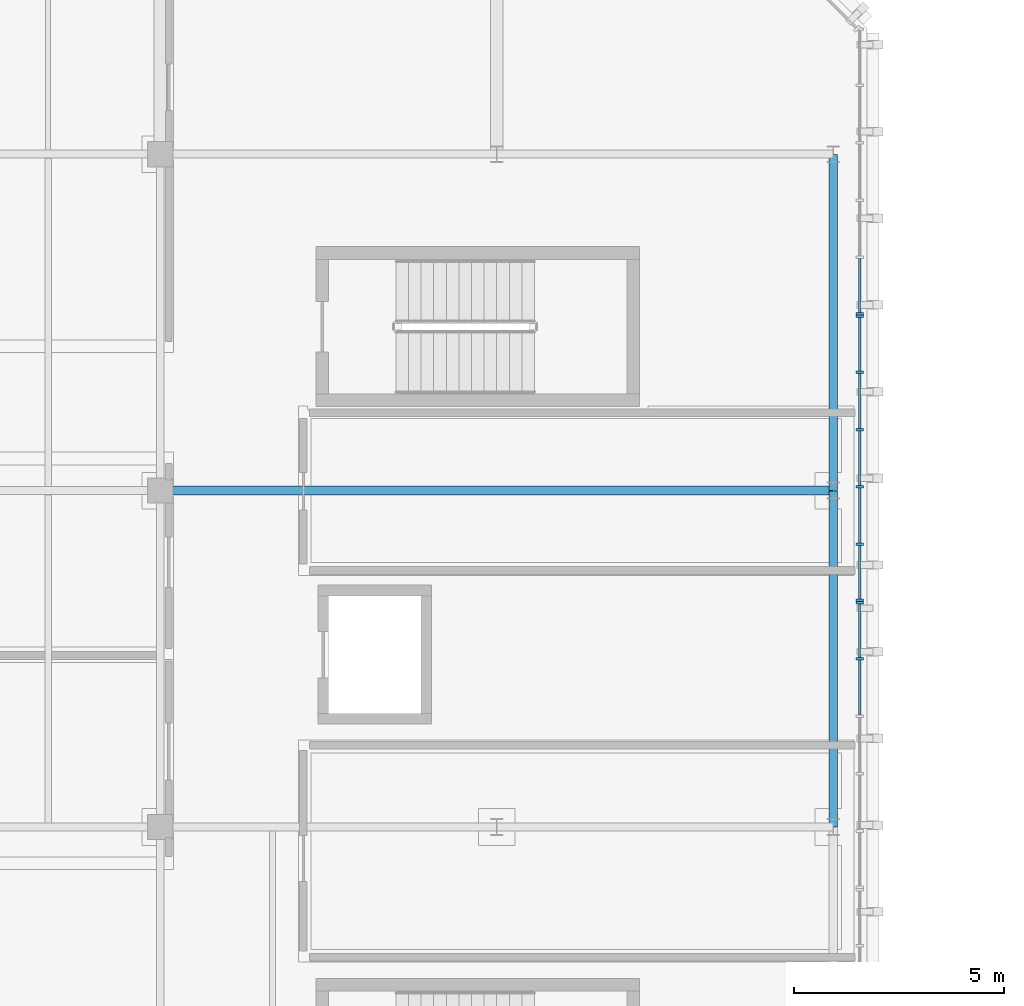
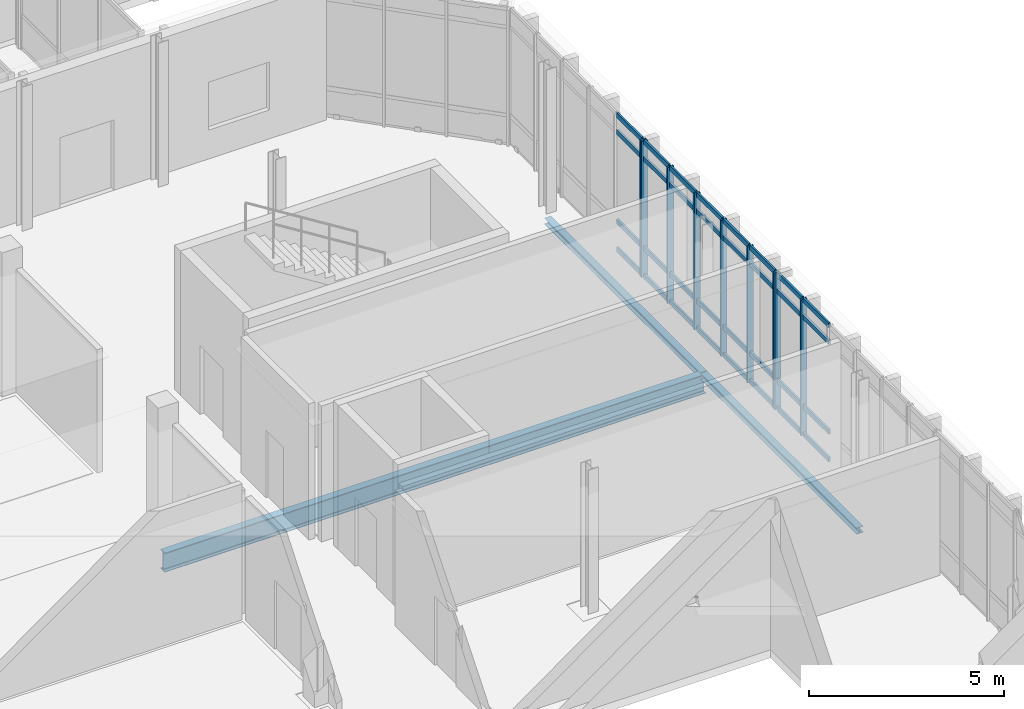
# One storey, part 26 of 100: 41 members, 3 beams, 3 elements without a shape of their own.
"""IFC4 building model written with IfcOpenShell, lengths in metres."""

import ifcopenshell
import ifcopenshell.guid

model = None  # the IFC model being written
_history = None  # IfcOwnerHistory: only IFC2X3 demands one
_inside = {}  # id of a spatial element -> (the spatial element, [elements in it])
_under = {}  # id of a project, library or spatial element -> (it, [spatial elements below it])
_declared = {}  # id of a project -> (the project, [libraries it declares])
_typed = {}  # id of a type object -> (the type object, [elements of that type])
_made_of = {}  # id of a material, layer set ... -> (it, [elements and type objects made of it])


def new_model(schema):
    """Start an empty IFC model of exactly this schema.

    Asked for "IFC4X3", IfcOpenShell would pick the latest addendum, in which some entities
    have other attributes; the version numbers below select the first issue.
    IFC2X3 requires an IfcOwnerHistory on every rooted entity: one is made here for all.
    """
    global model, _history
    if schema == "IFC4X3":
        model = ifcopenshell.file(schema_version=(4, 3, 0, 0))
    else:
        model = ifcopenshell.file(schema=schema)
    _inside.clear()
    _under.clear()
    _declared.clear()
    _typed.clear()
    _made_of.clear()
    _history = None
    if model.schema == "IFC2X3":
        org = make("IfcOrganization", Name="unknown")
        user = make(
            "IfcPersonAndOrganization",
            ThePerson=make("IfcPerson", FamilyName="unknown"),
            TheOrganization=org,
        )
        app = make(
            "IfcApplication",
            ApplicationDeveloper=org,
            Version="unknown",
            ApplicationFullName="unknown",
            ApplicationIdentifier="unknown",
        )
        _history = make(
            "IfcOwnerHistory",
            OwningUser=user,
            OwningApplication=app,
            ChangeAction="ADDED",
            CreationDate=0,
        )
    return model


def make(cls, **values):
    """One entity of the class cls with the attributes given. An attribute that is None is left unset."""
    return model.create_entity(
        cls, **{name: value for name, value in values.items() if value is not None}
    )


def rooted(cls, **values):
    """An entity with a GlobalId (a new one), such as an element, a storey or a relation."""
    return make(cls, GlobalId=ifcopenshell.guid.new(), OwnerHistory=_history, **values)


def si_unit(unit_type, name, prefix=None):
    """IfcSIUnit, for example si_unit("LENGTHUNIT", "METRE", prefix="MILLI")."""
    return make("IfcSIUnit", UnitType=unit_type, Prefix=prefix, Name=name)


def assignment(units):
    """IfcUnitAssignment: the units of a project."""
    return None if units is None else make("IfcUnitAssignment", Units=units)


def point(xyz):
    """IfcCartesianPoint."""
    return None if xyz is None else make("IfcCartesianPoint", Coordinates=xyz)


def direction(xyz):
    """IfcDirection."""
    return None if xyz is None else make("IfcDirection", DirectionRatios=xyz)


def frame(location, z_axis=None, x_axis=None):
    """IfcAxis2Placement3D, a coordinate frame: its origin and axes. An axis left out is left unset."""
    return make(
        "IfcAxis2Placement3D",
        Location=point(location),
        Axis=direction(z_axis),
        RefDirection=direction(x_axis),
    )


def frame_2d(location, x_axis=None):
    """IfcAxis2Placement2D, a coordinate frame in the plane: its origin and x axis."""
    return make(
        "IfcAxis2Placement2D", Location=point(location), RefDirection=direction(x_axis)
    )


def origin():
    """The frame at (0, 0, 0) with its axes left unset."""
    return frame((0.0, 0.0, 0.0))


def origin_2d():
    """The frame at (0, 0) in the plane with its x axis left unset."""
    return frame_2d((0.0, 0.0))


def place(relative_to, where):
    """IfcLocalPlacement: puts the frame where relative to a parent placement (None: the world)."""
    return make(
        "IfcLocalPlacement", PlacementRelTo=relative_to, RelativePlacement=where
    )


def context(
    kind, dimensions, precision=None, world=None, true_north=None, identifier=None
):
    """IfcGeometricRepresentationContext, for example the 3D "Model" context."""
    return make(
        "IfcGeometricRepresentationContext",
        ContextIdentifier=identifier,
        ContextType=kind,
        CoordinateSpaceDimension=dimensions,
        Precision=precision,
        WorldCoordinateSystem=world,
        TrueNorth=true_north,
    )


def subcontext(parent, identifier, kind, view, scale=None):
    """IfcGeometricRepresentationSubContext, for example "Body" below "Model"."""
    return make(
        "IfcGeometricRepresentationSubContext",
        ContextIdentifier=identifier,
        ContextType=kind,
        ParentContext=parent,
        TargetScale=scale,
        TargetView=view,
    )


def project(units=None, contexts=None):
    """IfcProject with its units and contexts."""
    return rooted(
        "IfcProject",
        Name="project",
        RepresentationContexts=contexts,
        UnitsInContext=assignment(units),
    )


def spatial(cls, under=None, at=None, **own):
    """A site, building, storey or space (cls), placed at a placement, below another one or the project."""
    s = rooted(cls, ObjectPlacement=at, **own)
    if under is not None:
        _under.setdefault(under.id(), (under, []))[1].append(s)
    return s


def profile(cls, at=None, kind="AREA", **sizes):
    """A parametric profile (cls). Its sizes go by their IFC names, for example OverallWidth=200.0."""
    return make(cls, ProfileType=kind, Position=at, **sizes)


def rectangle(**sizes):
    """IfcRectangleProfileDef."""
    return profile("IfcRectangleProfileDef", **sizes)


def i_section(**sizes):
    """IfcIShapeProfileDef."""
    return profile("IfcIShapeProfileDef", **sizes)


def extrude(swept, where, along, depth):
    """IfcExtrudedAreaSolid: the profile swept, set in the frame where, extruded along a direction by depth."""
    return make(
        "IfcExtrudedAreaSolid",
        SweptArea=swept,
        Position=where,
        ExtrudedDirection=direction(along),
        Depth=depth,
    )


def shape(context_of_items, identifier, shape_type, items):
    """IfcShapeRepresentation: the items that make up one representation, for example the "Body"."""
    return make(
        "IfcShapeRepresentation",
        ContextOfItems=context_of_items,
        RepresentationIdentifier=identifier,
        RepresentationType=shape_type,
        Items=items,
    )


def material(Name=None, Category=None):
    """IfcMaterial."""
    return make("IfcMaterial", Name=Name, Category=Category)


def material_profile(
    of_material, cross_section, Name=None, Category=None, Priority=None
):
    """IfcMaterialProfile: a cross section and its material."""
    return make(
        "IfcMaterialProfile",
        Name=Name,
        Material=of_material,
        Profile=cross_section,
        Priority=Priority,
        Category=Category,
    )


def profile_set(profiles, Name=None, composite=None):
    """IfcMaterialProfileSet."""
    return make(
        "IfcMaterialProfileSet",
        Name=Name,
        MaterialProfiles=profiles,
        CompositeProfile=composite,
    )


def made_of(thing, what):
    """Note that an element or type object is made of a material, layer set ...; save() writes the relation."""
    if what is not None:
        _made_of.setdefault(what.id(), (what, []))[1].append(thing)
    return thing


def type_object(cls, material=None, **own):
    """A type object (cls), such as IfcWallType, which elements share."""
    return made_of(rooted(cls, **own), material)


def element(
    cls,
    number,
    at=None,
    inside=None,
    cuts=None,
    type_object=None,
    material=None,
    context=None,
    identifier="Body",
    shape_type=None,
    held_by="IfcProductDefinitionShape",
    body=None,
    shapes=None,
    **own,
):
    """One element of the class cls, such as IfcWall. Its Tag is "e" and its number.

    at: its placement. inside: the storey or other place that contains it. cuts: it is an
    opening in that element (IfcRelVoidsElement). A single representation is given by context,
    identifier, shape_type and body (its items); several are given by shapes. held_by: the class
    of the entity that holds the representations. save() writes the other relations.
    """
    e = rooted(cls, Tag="e%d" % number, ObjectPlacement=at, **own)
    if body is not None:
        shapes = [shape(context, identifier, shape_type, body)]
    if shapes is not None:
        e.Representation = make(held_by, Representations=shapes)
    if inside is not None:
        _inside.setdefault(inside.id(), (inside, []))[1].append(e)
    if cuts is not None:
        rooted(
            "IfcRelVoidsElement", RelatingBuildingElement=cuts, RelatedOpeningElement=e
        )
    if type_object is not None:
        _typed.setdefault(type_object.id(), (type_object, []))[1].append(e)
    return made_of(e, material)


def aggregate(whole, parts):
    """IfcRelAggregates: a whole, such as a stair, and the parts it consists of."""
    return rooted("IfcRelAggregates", RelatingObject=whole, RelatedObjects=parts)


def save(model, path):
    """Write the relations noted so far, then the file.

    IfcRelAggregates (storeys below a building ...), IfcRelContainedInSpatialStructure (elements
    in a storey), IfcRelDefinesByType, IfcRelAssociatesMaterial and IfcRelDeclares: one each for
    every whole, place, type object, material and project.
    """
    for whole, parts in _under.values():
        aggregate(whole, parts)
    for where, things in _inside.values():
        rooted(
            "IfcRelContainedInSpatialStructure",
            RelatedElements=things,
            RelatingStructure=where,
        )
    for kind, things in _typed.values():
        rooted("IfcRelDefinesByType", RelatedObjects=things, RelatingType=kind)
    for what, things in _made_of.values():
        rooted("IfcRelAssociatesMaterial", RelatedObjects=things, RelatingMaterial=what)
    for by, libraries in _declared.values():
        rooted("IfcRelDeclares", RelatingContext=by, RelatedDefinitions=libraries)
    model.write(path)


model = new_model("IFC4")

# Units and contexts
model_context = context("Model", 3, precision=1e-05, world=origin(), true_north=direction((0.0, 1.0)))
body_context = subcontext(model_context, "Body", "Model", "MODEL_VIEW")
ifc_project = project(units=[si_unit("LENGTHUNIT", "METRE"), si_unit("AREAUNIT", "SQUARE_METRE"), si_unit("VOLUMEUNIT", "CUBIC_METRE"), si_unit("PLANEANGLEUNIT", "RADIAN"), si_unit("MASSUNIT", "GRAM", prefix="KILO")], contexts=[model_context])

# Site, building, storey
site_placement = place(None, origin())
site = spatial("IfcSite", under=ifc_project, at=site_placement, CompositionType="ELEMENT")
building_placement = place(site_placement, origin())
building = spatial("IfcBuilding", under=site, at=building_placement, Name="Cymarion Research Institute", CompositionType="ELEMENT")
storey_placement = place(building_placement, frame((0.0, 0.0, 9.300048828125)))
storey = spatial("IfcBuildingStorey", under=building, at=storey_placement, Name="L02", CompositionType="ELEMENT", Elevation=9.300048828125)

# Curtain wall, members
ifc_material_1 = material(Name="Anodised aluminium unitised curtain wall with Low-E glazing", Category="aluminium")
curtain_wall_type = type_object("IfcCurtainWallType", Name="UNITISED CURTAIN WALL CW20 6820X4250", PredefinedType="NOTDEFINED", material=ifc_material_1)
curtain_wall_1_placement = place(storey_placement, origin())
curtain_wall_1 = element("IfcCurtainWall", 1, at=curtain_wall_1_placement, inside=storey, type_object=curtain_wall_type, Name="L02 V4 unitised curtain wall CW20 #99", PredefinedType="NOTDEFINED")
ifc_material_2 = material(Name="Anodised aluminium framing", Category="aluminium")
ifc_material_profile_1 = material_profile(ifc_material_2, rectangle(XDim=0.06005859375, YDim=0.179931640625, at=origin_2d()), Name="ALU MULLION 60x180")
ifc_profile_set_1 = profile_set([ifc_material_profile_1], Name="Anodised aluminium framing")
member_type_1 = type_object("IfcMemberType", Name="CURTAIN WALL MULLION ML01 60X180", PredefinedType="MULLION", material=ifc_profile_set_1)
member_1_placement = place(storey_placement, frame((47.22998046875, 59.4970703125, 0.0), z_axis=(0.0, 0.0, 1.0), x_axis=(0.0, 1.0, 0.0)))
member_1 = element("IfcMember", 2, at=member_1_placement, type_object=member_type_1, Name="CW20 mullion 5", PredefinedType="MULLION", context=body_context, shape_type="SweptSolid", body=[
    extrude(rectangle(XDim=0.06005859375, YDim=0.179931640625, at=origin_2d()), origin(), (0.0, 0.0, 1.0), 4.25),
])
member_2_placement = place(storey_placement, frame((47.22998046875, 60.8310546875, 0.0), z_axis=(0.0, 0.0, 1.0), x_axis=(0.0, 1.0, 0.0)))
member_2 = element("IfcMember", 3, at=member_2_placement, type_object=member_type_1, Name="CW20 mullion 6", PredefinedType="MULLION", context=body_context, shape_type="SweptSolid", body=[
    extrude(rectangle(XDim=0.06005859375, YDim=0.179931640625, at=origin_2d()), origin(), (0.0, 0.0, 1.0), 4.25),
])

curtain_wall_2_placement = place(storey_placement, origin())
curtain_wall_2 = element("IfcCurtainWall", 4, at=curtain_wall_2_placement, inside=storey, type_object=curtain_wall_type, Name="L02 V4 unitised curtain wall CW20 #100", PredefinedType="NOTDEFINED")
member_3_placement = place(storey_placement, frame((47.22998046875, 60.89111328125, 0.0), z_axis=(0.0, 0.0, 1.0), x_axis=(0.0, 1.0, 0.0)))
member_3 = element("IfcMember", 5, at=member_3_placement, type_object=member_type_1, Name="CW20 mullion 1", PredefinedType="MULLION", context=body_context, shape_type="SweptSolid", body=[
    extrude(rectangle(XDim=0.06005859375, YDim=0.179931640625, at=origin_2d()), origin(), (0.0, 0.0, 1.0), 4.25),
])
member_4_placement = place(storey_placement, frame((47.22998046875, 62.224853515625, 0.0), z_axis=(0.0, 0.0, 1.0), x_axis=(0.0, 1.0, 0.0)))
member_4 = element("IfcMember", 6, at=member_4_placement, type_object=member_type_1, Name="CW20 mullion 2", PredefinedType="MULLION", context=body_context, shape_type="SweptSolid", body=[
    extrude(rectangle(XDim=0.06005859375, YDim=0.179931640625, at=origin_2d()), origin(), (0.0, 0.0, 1.0), 4.25),
])
member_5_placement = place(storey_placement, frame((47.22998046875, 63.5888671875, 0.0), z_axis=(0.0, 0.0, 1.0), x_axis=(0.0, 1.0, 0.0)))
member_5 = element("IfcMember", 7, at=member_5_placement, type_object=member_type_1, Name="CW20 mullion 3", PredefinedType="MULLION", context=body_context, shape_type="SweptSolid", body=[
    extrude(rectangle(XDim=0.06005859375, YDim=0.179931640625, at=origin_2d()), origin(), (0.0, 0.0, 1.0), 4.25),
])
member_6_placement = place(storey_placement, frame((47.22998046875, 64.95263671875, 0.0), z_axis=(0.0, 0.0, 1.0), x_axis=(0.0, 1.0, 0.0)))
member_6 = element("IfcMember", 8, at=member_6_placement, type_object=member_type_1, Name="CW20 mullion 4", PredefinedType="MULLION", context=body_context, shape_type="SweptSolid", body=[
    extrude(rectangle(XDim=0.06005859375, YDim=0.179931640625, at=origin_2d()), origin(), (0.0, 0.0, 1.0), 4.25),
])
member_7_placement = place(storey_placement, frame((47.22998046875, 66.316650390625, 0.0), z_axis=(0.0, 0.0, 1.0), x_axis=(0.0, 1.0, 0.0)))
member_7 = element("IfcMember", 9, at=member_7_placement, type_object=member_type_1, Name="CW20 mullion 5", PredefinedType="MULLION", context=body_context, shape_type="SweptSolid", body=[
    extrude(rectangle(XDim=0.06005859375, YDim=0.179931640625, at=origin_2d()), origin(), (0.0, 0.0, 1.0), 4.25),
])
member_8_placement = place(storey_placement, frame((47.22998046875, 67.650390625, 0.0), z_axis=(0.0, 0.0, 1.0), x_axis=(0.0, 1.0, 0.0)))
member_8 = element("IfcMember", 10, at=member_8_placement, type_object=member_type_1, Name="CW20 mullion 6", PredefinedType="MULLION", context=body_context, shape_type="SweptSolid", body=[
    extrude(rectangle(XDim=0.06005859375, YDim=0.179931640625, at=origin_2d()), origin(), (0.0, 0.0, 1.0), 4.25),
])

# Curtain wall, member
curtain_wall_3_placement = place(storey_placement, origin())
curtain_wall_3 = element("IfcCurtainWall", 11, at=curtain_wall_3_placement, inside=storey, type_object=curtain_wall_type, Name="L02 V4 unitised curtain wall CW20 #101", PredefinedType="NOTDEFINED")
member_9_placement = place(storey_placement, frame((47.22998046875, 67.71044921875, 0.0), z_axis=(0.0, 0.0, 1.0), x_axis=(0.0, 1.0, 0.0)))
member_9 = element("IfcMember", 12, at=member_9_placement, type_object=member_type_1, Name="CW20 mullion 1", PredefinedType="MULLION", context=body_context, shape_type="SweptSolid", body=[
    extrude(rectangle(XDim=0.06005859375, YDim=0.179931640625, at=origin_2d()), origin(), (0.0, 0.0, 1.0), 4.25),
])

# Member
ifc_material_profile_2 = material_profile(ifc_material_2, rectangle(XDim=0.06005859375, YDim=0.14990234375, at=origin_2d()), Name="ALU TRANSOM 60x150")
ifc_profile_set_2 = profile_set([ifc_material_profile_2], Name="Anodised aluminium framing")
member_type_2 = type_object("IfcMemberType", Name="CURTAIN WALL TRANSOM TR01 60X150", PredefinedType="USERDEFINED", material=ifc_profile_set_2)
member_10_placement = place(storey_placement, frame((47.22998046875, 58.1630859375, 0.030029296875), z_axis=(0.0, 1.0, 0.0), x_axis=(-1.0, 0.0, 0.0)))
member_10 = element("IfcMember", 13, at=member_10_placement, type_object=member_type_2, Name="CW20 transom 4.1", ObjectType="TRANSOM", PredefinedType="USERDEFINED", context=body_context, shape_type="SweptSolid", body=[
    extrude(rectangle(XDim=0.06005859375, YDim=0.14990234375, at=origin_2d()), origin(), (0.0, 0.0, 1.0), 1.303955078125),
])

member_11_placement = place(storey_placement, frame((47.22998046875, 58.1630859375, 0.89990234375), z_axis=(0.0, 1.0, 0.0), x_axis=(-1.0, 0.0, 0.0)))
member_11 = element("IfcMember", 14, at=member_11_placement, type_object=member_type_2, Name="CW20 transom 4.2", ObjectType="TRANSOM", PredefinedType="USERDEFINED", context=body_context, shape_type="SweptSolid", body=[
    extrude(rectangle(XDim=0.06005859375, YDim=0.14990234375, at=origin_2d()), origin(), (0.0, 0.0, 1.0), 1.303955078125),
])

member_12_placement = place(storey_placement, frame((47.22998046875, 58.1630859375, 3.699951171875), z_axis=(0.0, 1.0, 0.0), x_axis=(-1.0, 0.0, 0.0)))
member_12 = element("IfcMember", 15, at=member_12_placement, type_object=member_type_2, Name="CW20 transom 4.3", ObjectType="TRANSOM", PredefinedType="USERDEFINED", context=body_context, shape_type="SweptSolid", body=[
    extrude(rectangle(XDim=0.06005859375, YDim=0.14990234375, at=origin_2d()), origin(), (0.0, 0.0, 1.0), 1.303955078125),
])

member_13_placement = place(storey_placement, frame((47.22998046875, 58.1630859375, 4.219970703125), z_axis=(0.0, 1.0, 0.0), x_axis=(-1.0, 0.0, 0.0)))
member_13 = element("IfcMember", 16, at=member_13_placement, type_object=member_type_2, Name="CW20 transom 4.4", ObjectType="TRANSOM", PredefinedType="USERDEFINED", context=body_context, shape_type="SweptSolid", body=[
    extrude(rectangle(XDim=0.06005859375, YDim=0.14990234375, at=origin_2d()), origin(), (0.0, 0.0, 1.0), 1.303955078125),
])

member_14_placement = place(storey_placement, frame((47.22998046875, 59.527099609375, 0.030029296875), z_axis=(0.0, 1.0, 0.0), x_axis=(-1.0, 0.0, 0.0)))
member_14 = element("IfcMember", 17, at=member_14_placement, type_object=member_type_2, Name="CW20 transom 5.1", ObjectType="TRANSOM", PredefinedType="USERDEFINED", context=body_context, shape_type="SweptSolid", body=[
    extrude(rectangle(XDim=0.06005859375, YDim=0.14990234375, at=origin_2d()), origin(), (0.0, 0.0, 1.0), 1.27392578125),
])

member_15_placement = place(storey_placement, frame((47.22998046875, 59.527099609375, 0.89990234375), z_axis=(0.0, 1.0, 0.0), x_axis=(-1.0, 0.0, 0.0)))
member_15 = element("IfcMember", 18, at=member_15_placement, type_object=member_type_2, Name="CW20 transom 5.2", ObjectType="TRANSOM", PredefinedType="USERDEFINED", context=body_context, shape_type="SweptSolid", body=[
    extrude(rectangle(XDim=0.06005859375, YDim=0.14990234375, at=origin_2d()), origin(), (0.0, 0.0, 1.0), 1.27392578125),
])

member_16_placement = place(storey_placement, frame((47.22998046875, 59.527099609375, 3.699951171875), z_axis=(0.0, 1.0, 0.0), x_axis=(-1.0, 0.0, 0.0)))
member_16 = element("IfcMember", 19, at=member_16_placement, type_object=member_type_2, Name="CW20 transom 5.3", ObjectType="TRANSOM", PredefinedType="USERDEFINED", context=body_context, shape_type="SweptSolid", body=[
    extrude(rectangle(XDim=0.06005859375, YDim=0.14990234375, at=origin_2d()), origin(), (0.0, 0.0, 1.0), 1.27392578125),
])

member_17_placement = place(storey_placement, frame((47.22998046875, 59.527099609375, 4.219970703125), z_axis=(0.0, 1.0, 0.0), x_axis=(-1.0, 0.0, 0.0)))
member_17 = element("IfcMember", 20, at=member_17_placement, type_object=member_type_2, Name="CW20 transom 5.4", ObjectType="TRANSOM", PredefinedType="USERDEFINED", context=body_context, shape_type="SweptSolid", body=[
    extrude(rectangle(XDim=0.06005859375, YDim=0.14990234375, at=origin_2d()), origin(), (0.0, 0.0, 1.0), 1.27392578125),
])

aggregate(curtain_wall_1, [member_1, member_2, member_10, member_11, member_12, member_13, member_14, member_15, member_16, member_17])

member_18_placement = place(storey_placement, frame((47.22998046875, 60.9208984375, 0.030029296875), z_axis=(0.0, 1.0, 0.0), x_axis=(-1.0, 0.0, 0.0)))
member_18 = element("IfcMember", 21, at=member_18_placement, type_object=member_type_2, Name="CW20 transom 1.1", ObjectType="TRANSOM", PredefinedType="USERDEFINED", context=body_context, shape_type="SweptSolid", body=[
    extrude(rectangle(XDim=0.06005859375, YDim=0.14990234375, at=origin_2d()), origin(), (0.0, 0.0, 1.0), 1.27392578125),
])

member_19_placement = place(storey_placement, frame((47.22998046875, 60.9208984375, 0.89990234375), z_axis=(0.0, 1.0, 0.0), x_axis=(-1.0, 0.0, 0.0)))
member_19 = element("IfcMember", 22, at=member_19_placement, type_object=member_type_2, Name="CW20 transom 1.2", ObjectType="TRANSOM", PredefinedType="USERDEFINED", context=body_context, shape_type="SweptSolid", body=[
    extrude(rectangle(XDim=0.06005859375, YDim=0.14990234375, at=origin_2d()), origin(), (0.0, 0.0, 1.0), 1.27392578125),
])

member_20_placement = place(storey_placement, frame((47.22998046875, 60.9208984375, 3.699951171875), z_axis=(0.0, 1.0, 0.0), x_axis=(-1.0, 0.0, 0.0)))
member_20 = element("IfcMember", 23, at=member_20_placement, type_object=member_type_2, Name="CW20 transom 1.3", ObjectType="TRANSOM", PredefinedType="USERDEFINED", context=body_context, shape_type="SweptSolid", body=[
    extrude(rectangle(XDim=0.06005859375, YDim=0.14990234375, at=origin_2d()), origin(), (0.0, 0.0, 1.0), 1.27392578125),
])

member_21_placement = place(storey_placement, frame((47.22998046875, 60.9208984375, 4.219970703125), z_axis=(0.0, 1.0, 0.0), x_axis=(-1.0, 0.0, 0.0)))
member_21 = element("IfcMember", 24, at=member_21_placement, type_object=member_type_2, Name="CW20 transom 1.4", ObjectType="TRANSOM", PredefinedType="USERDEFINED", context=body_context, shape_type="SweptSolid", body=[
    extrude(rectangle(XDim=0.06005859375, YDim=0.14990234375, at=origin_2d()), origin(), (0.0, 0.0, 1.0), 1.27392578125),
])

member_22_placement = place(storey_placement, frame((47.22998046875, 62.2548828125, 0.030029296875), z_axis=(0.0, 1.0, 0.0), x_axis=(-1.0, 0.0, 0.0)))
member_22 = element("IfcMember", 25, at=member_22_placement, type_object=member_type_2, Name="CW20 transom 2.1", ObjectType="TRANSOM", PredefinedType="USERDEFINED", context=body_context, shape_type="SweptSolid", body=[
    extrude(rectangle(XDim=0.06005859375, YDim=0.14990234375, at=origin_2d()), origin(), (0.0, 0.0, 1.0), 1.303955078125),
])

member_23_placement = place(storey_placement, frame((47.22998046875, 62.2548828125, 0.89990234375), z_axis=(0.0, 1.0, 0.0), x_axis=(-1.0, 0.0, 0.0)))
member_23 = element("IfcMember", 26, at=member_23_placement, type_object=member_type_2, Name="CW20 transom 2.2", ObjectType="TRANSOM", PredefinedType="USERDEFINED", context=body_context, shape_type="SweptSolid", body=[
    extrude(rectangle(XDim=0.06005859375, YDim=0.14990234375, at=origin_2d()), origin(), (0.0, 0.0, 1.0), 1.303955078125),
])

member_24_placement = place(storey_placement, frame((47.22998046875, 62.2548828125, 3.699951171875), z_axis=(0.0, 1.0, 0.0), x_axis=(-1.0, 0.0, 0.0)))
member_24 = element("IfcMember", 27, at=member_24_placement, type_object=member_type_2, Name="CW20 transom 2.3", ObjectType="TRANSOM", PredefinedType="USERDEFINED", context=body_context, shape_type="SweptSolid", body=[
    extrude(rectangle(XDim=0.06005859375, YDim=0.14990234375, at=origin_2d()), origin(), (0.0, 0.0, 1.0), 1.303955078125),
])

member_25_placement = place(storey_placement, frame((47.22998046875, 62.2548828125, 4.219970703125), z_axis=(0.0, 1.0, 0.0), x_axis=(-1.0, 0.0, 0.0)))
member_25 = element("IfcMember", 28, at=member_25_placement, type_object=member_type_2, Name="CW20 transom 2.4", ObjectType="TRANSOM", PredefinedType="USERDEFINED", context=body_context, shape_type="SweptSolid", body=[
    extrude(rectangle(XDim=0.06005859375, YDim=0.14990234375, at=origin_2d()), origin(), (0.0, 0.0, 1.0), 1.303955078125),
])

member_26_placement = place(storey_placement, frame((47.22998046875, 63.618896484375, 0.030029296875), z_axis=(0.0, 1.0, 0.0), x_axis=(-1.0, 0.0, 0.0)))
member_26 = element("IfcMember", 29, at=member_26_placement, type_object=member_type_2, Name="CW20 transom 3.1", ObjectType="TRANSOM", PredefinedType="USERDEFINED", context=body_context, shape_type="SweptSolid", body=[
    extrude(rectangle(XDim=0.06005859375, YDim=0.14990234375, at=origin_2d()), origin(), (0.0, 0.0, 1.0), 1.3037109375),
])

member_27_placement = place(storey_placement, frame((47.22998046875, 63.618896484375, 0.89990234375), z_axis=(0.0, 1.0, 0.0), x_axis=(-1.0, 0.0, 0.0)))
member_27 = element("IfcMember", 30, at=member_27_placement, type_object=member_type_2, Name="CW20 transom 3.2", ObjectType="TRANSOM", PredefinedType="USERDEFINED", context=body_context, shape_type="SweptSolid", body=[
    extrude(rectangle(XDim=0.06005859375, YDim=0.14990234375, at=origin_2d()), origin(), (0.0, 0.0, 1.0), 1.3037109375),
])

member_28_placement = place(storey_placement, frame((47.22998046875, 63.618896484375, 3.699951171875), z_axis=(0.0, 1.0, 0.0), x_axis=(-1.0, 0.0, 0.0)))
member_28 = element("IfcMember", 31, at=member_28_placement, type_object=member_type_2, Name="CW20 transom 3.3", ObjectType="TRANSOM", PredefinedType="USERDEFINED", context=body_context, shape_type="SweptSolid", body=[
    extrude(rectangle(XDim=0.06005859375, YDim=0.14990234375, at=origin_2d()), origin(), (0.0, 0.0, 1.0), 1.3037109375),
])

member_29_placement = place(storey_placement, frame((47.22998046875, 63.618896484375, 4.219970703125), z_axis=(0.0, 1.0, 0.0), x_axis=(-1.0, 0.0, 0.0)))
member_29 = element("IfcMember", 32, at=member_29_placement, type_object=member_type_2, Name="CW20 transom 3.4", ObjectType="TRANSOM", PredefinedType="USERDEFINED", context=body_context, shape_type="SweptSolid", body=[
    extrude(rectangle(XDim=0.06005859375, YDim=0.14990234375, at=origin_2d()), origin(), (0.0, 0.0, 1.0), 1.3037109375),
])

member_30_placement = place(storey_placement, frame((47.22998046875, 64.982666015625, 0.030029296875), z_axis=(0.0, 1.0, 0.0), x_axis=(-1.0, 0.0, 0.0)))
member_30 = element("IfcMember", 33, at=member_30_placement, type_object=member_type_2, Name="CW20 transom 4.1", ObjectType="TRANSOM", PredefinedType="USERDEFINED", context=body_context, shape_type="SweptSolid", body=[
    extrude(rectangle(XDim=0.06005859375, YDim=0.14990234375, at=origin_2d()), origin(), (0.0, 0.0, 1.0), 1.303955078125),
])

member_31_placement = place(storey_placement, frame((47.22998046875, 64.982666015625, 0.89990234375), z_axis=(0.0, 1.0, 0.0), x_axis=(-1.0, 0.0, 0.0)))
member_31 = element("IfcMember", 34, at=member_31_placement, type_object=member_type_2, Name="CW20 transom 4.2", ObjectType="TRANSOM", PredefinedType="USERDEFINED", context=body_context, shape_type="SweptSolid", body=[
    extrude(rectangle(XDim=0.06005859375, YDim=0.14990234375, at=origin_2d()), origin(), (0.0, 0.0, 1.0), 1.303955078125),
])

member_32_placement = place(storey_placement, frame((47.22998046875, 64.982666015625, 3.699951171875), z_axis=(0.0, 1.0, 0.0), x_axis=(-1.0, 0.0, 0.0)))
member_32 = element("IfcMember", 35, at=member_32_placement, type_object=member_type_2, Name="CW20 transom 4.3", ObjectType="TRANSOM", PredefinedType="USERDEFINED", context=body_context, shape_type="SweptSolid", body=[
    extrude(rectangle(XDim=0.06005859375, YDim=0.14990234375, at=origin_2d()), origin(), (0.0, 0.0, 1.0), 1.303955078125),
])

member_33_placement = place(storey_placement, frame((47.22998046875, 64.982666015625, 4.219970703125), z_axis=(0.0, 1.0, 0.0), x_axis=(-1.0, 0.0, 0.0)))
member_33 = element("IfcMember", 36, at=member_33_placement, type_object=member_type_2, Name="CW20 transom 4.4", ObjectType="TRANSOM", PredefinedType="USERDEFINED", context=body_context, shape_type="SweptSolid", body=[
    extrude(rectangle(XDim=0.06005859375, YDim=0.14990234375, at=origin_2d()), origin(), (0.0, 0.0, 1.0), 1.303955078125),
])

member_34_placement = place(storey_placement, frame((47.22998046875, 66.3466796875, 0.030029296875), z_axis=(0.0, 1.0, 0.0), x_axis=(-1.0, 0.0, 0.0)))
member_34 = element("IfcMember", 37, at=member_34_placement, type_object=member_type_2, Name="CW20 transom 5.1", ObjectType="TRANSOM", PredefinedType="USERDEFINED", context=body_context, shape_type="SweptSolid", body=[
    extrude(rectangle(XDim=0.06005859375, YDim=0.14990234375, at=origin_2d()), origin(), (0.0, 0.0, 1.0), 1.27392578125),
])

member_35_placement = place(storey_placement, frame((47.22998046875, 66.3466796875, 0.89990234375), z_axis=(0.0, 1.0, 0.0), x_axis=(-1.0, 0.0, 0.0)))
member_35 = element("IfcMember", 38, at=member_35_placement, type_object=member_type_2, Name="CW20 transom 5.2", ObjectType="TRANSOM", PredefinedType="USERDEFINED", context=body_context, shape_type="SweptSolid", body=[
    extrude(rectangle(XDim=0.06005859375, YDim=0.14990234375, at=origin_2d()), origin(), (0.0, 0.0, 1.0), 1.27392578125),
])

member_36_placement = place(storey_placement, frame((47.22998046875, 66.3466796875, 3.699951171875), z_axis=(0.0, 1.0, 0.0), x_axis=(-1.0, 0.0, 0.0)))
member_36 = element("IfcMember", 39, at=member_36_placement, type_object=member_type_2, Name="CW20 transom 5.3", ObjectType="TRANSOM", PredefinedType="USERDEFINED", context=body_context, shape_type="SweptSolid", body=[
    extrude(rectangle(XDim=0.06005859375, YDim=0.14990234375, at=origin_2d()), origin(), (0.0, 0.0, 1.0), 1.27392578125),
])

member_37_placement = place(storey_placement, frame((47.22998046875, 66.3466796875, 4.219970703125), z_axis=(0.0, 1.0, 0.0), x_axis=(-1.0, 0.0, 0.0)))
member_37 = element("IfcMember", 40, at=member_37_placement, type_object=member_type_2, Name="CW20 transom 5.4", ObjectType="TRANSOM", PredefinedType="USERDEFINED", context=body_context, shape_type="SweptSolid", body=[
    extrude(rectangle(XDim=0.06005859375, YDim=0.14990234375, at=origin_2d()), origin(), (0.0, 0.0, 1.0), 1.27392578125),
])

aggregate(curtain_wall_2, [member_3, member_4, member_5, member_6, member_7, member_8, member_18, member_19, member_20, member_21, member_22, member_23, member_24, member_25, member_26, member_27, member_28, member_29, member_30, member_31, member_32, member_33, member_34, member_35, member_36, member_37])

member_38_placement = place(storey_placement, frame((47.22998046875, 67.740478515625, 0.030029296875), z_axis=(0.0, 1.0, 0.0), x_axis=(-1.0, 0.0, 0.0)))
member_38 = element("IfcMember", 41, at=member_38_placement, type_object=member_type_2, Name="CW20 transom 1.1", ObjectType="TRANSOM", PredefinedType="USERDEFINED", context=body_context, shape_type="SweptSolid", body=[
    extrude(rectangle(XDim=0.06005859375, YDim=0.14990234375, at=origin_2d()), origin(), (0.0, 0.0, 1.0), 1.27392578125),
])

member_39_placement = place(storey_placement, frame((47.22998046875, 67.740478515625, 0.89990234375), z_axis=(0.0, 1.0, 0.0), x_axis=(-1.0, 0.0, 0.0)))
member_39 = element("IfcMember", 42, at=member_39_placement, type_object=member_type_2, Name="CW20 transom 1.2", ObjectType="TRANSOM", PredefinedType="USERDEFINED", context=body_context, shape_type="SweptSolid", body=[
    extrude(rectangle(XDim=0.06005859375, YDim=0.14990234375, at=origin_2d()), origin(), (0.0, 0.0, 1.0), 1.27392578125),
])

member_40_placement = place(storey_placement, frame((47.22998046875, 67.740478515625, 3.699951171875), z_axis=(0.0, 1.0, 0.0), x_axis=(-1.0, 0.0, 0.0)))
member_40 = element("IfcMember", 43, at=member_40_placement, type_object=member_type_2, Name="CW20 transom 1.3", ObjectType="TRANSOM", PredefinedType="USERDEFINED", context=body_context, shape_type="SweptSolid", body=[
    extrude(rectangle(XDim=0.06005859375, YDim=0.14990234375, at=origin_2d()), origin(), (0.0, 0.0, 1.0), 1.27392578125),
])

member_41_placement = place(storey_placement, frame((47.22998046875, 67.740478515625, 4.219970703125), z_axis=(0.0, 1.0, 0.0), x_axis=(-1.0, 0.0, 0.0)))
member_41 = element("IfcMember", 44, at=member_41_placement, type_object=member_type_2, Name="CW20 transom 1.4", ObjectType="TRANSOM", PredefinedType="USERDEFINED", context=body_context, shape_type="SweptSolid", body=[
    extrude(rectangle(XDim=0.06005859375, YDim=0.14990234375, at=origin_2d()), origin(), (0.0, 0.0, 1.0), 1.27392578125),
])

aggregate(curtain_wall_3, [member_9, member_38, member_39, member_40, member_41])

# Beams
ifc_material_3 = material(Name="Steel S355", Category="steel")
ifc_material_profile_3 = material_profile(ifc_material_3, i_section(OverallWidth=0.219970703125, OverallDepth=0.60009765625, WebThickness=0.011962890625, FlangeThickness=0.01904296875, FilletRadius=0.02392578125, at=origin_2d()), Name="IPE 600")
ifc_profile_set_3 = profile_set([ifc_material_profile_3], Name="Steel S355")
beam_type_1 = type_object("IfcBeamType", Name="PRIMARY GIRDER BM01 IPE 600", PredefinedType="BEAM", material=ifc_profile_set_3)
beam_placement = place(storey_placement, frame((30.60595703125, 63.5, -0.550048828125), z_axis=(1.0, 0.0, 0.0), x_axis=(0.0, 1.0, 0.0)))
element("IfcBeam", 45, at=beam_placement, inside=storey, type_object=beam_type_1, Name="L02 V4 girder BM01 #1042", PredefinedType="BEAM", context=body_context, shape_type="SweptSolid", body=[
    extrude(i_section(OverallWidth=0.219970703125, OverallDepth=0.60009765625, WebThickness=0.011962890625, FlangeThickness=0.01904296875, FilletRadius=0.02392578125, at=origin_2d()), origin(), (0.0, 0.0, 1.0), 15.988037109375),
])
ifc_material_profile_4 = material_profile(ifc_material_3, i_section(OverallWidth=0.199951171875, OverallDepth=0.18994140625, WebThickness=0.006591796875, FlangeThickness=0.010009765625, FilletRadius=0.01806640625, at=origin_2d()), Name="HEA 200")
ifc_profile_set_4 = profile_set([ifc_material_profile_4], Name="Steel S355")
beam_type_2 = type_object("IfcBeamType", Name="SPANDREL BEAM SPB04 HEA 200", PredefinedType="SPANDREL", material=ifc_profile_set_4)
for number, where, z_axis, x_axis, name in (
    (46, (46.60009765625, 55.506103515625, -0.344970703125), (0.0, 1.0, 0.0), (-1.0, 0.0, 0.0), "L02 V4 girder SPB04 #1074"),
    (47, (46.60009765625, 63.506103515625, -0.344970703125), (0.0, 1.0, 0.0), (-1.0, 0.0, 0.0), "L02 V4 girder SPB04 #1075"),
):
    element("IfcBeam", number, at=place(storey_placement, frame(where, z_axis=z_axis, x_axis=x_axis)), inside=storey, type_object=beam_type_2, Name=name, PredefinedType="SPANDREL", context=body_context, shape_type="SweptSolid", body=[
        extrude(i_section(OverallWidth=0.199951171875, OverallDepth=0.18994140625, WebThickness=0.006591796875, FlangeThickness=0.010009765625, FilletRadius=0.01806640625, at=origin_2d()), origin(), (0.0, 0.0, 1.0), 7.98779296875),
    ])

save(model, "model.ifc")
